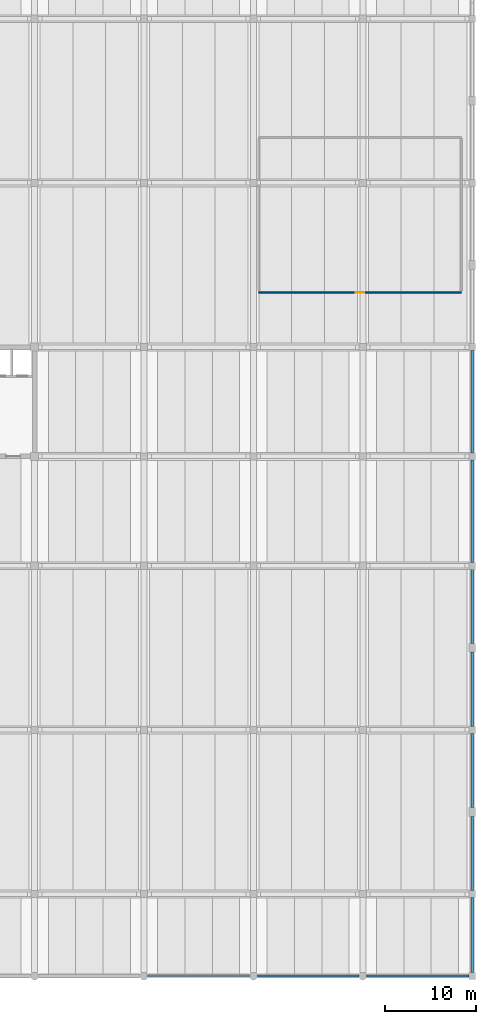
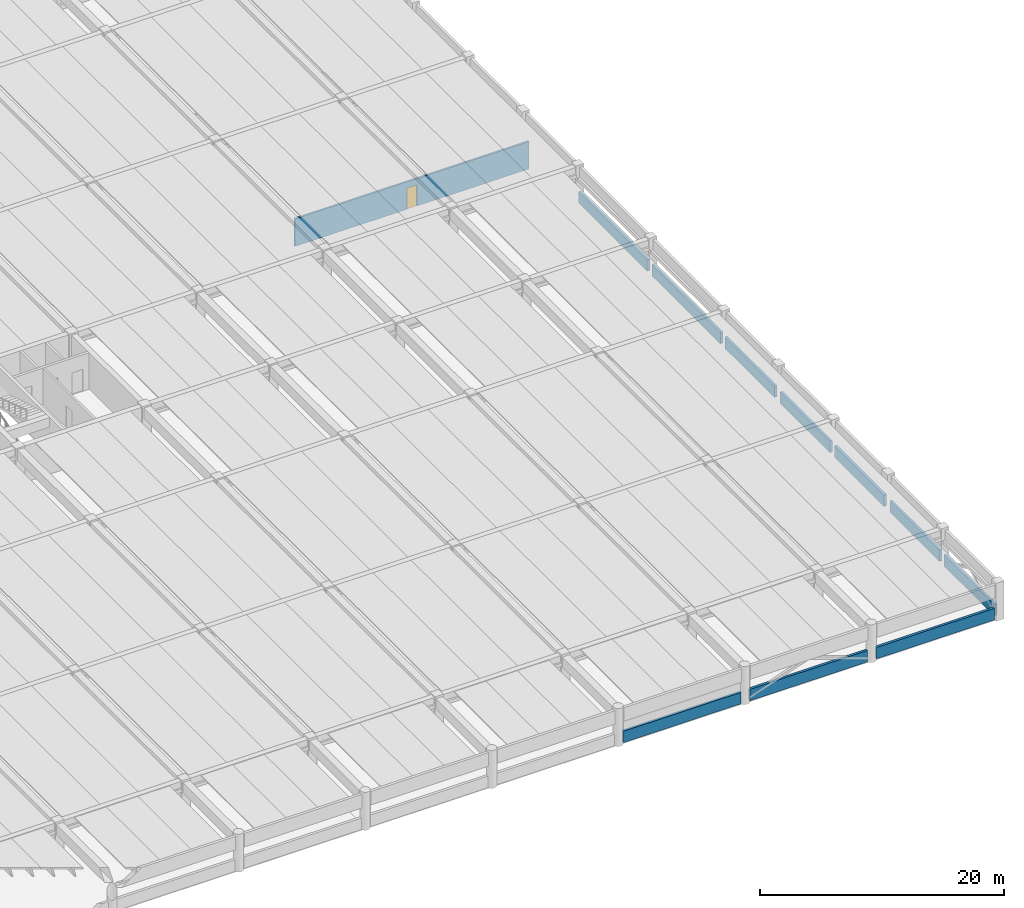
# One storey, part 13 of 21: 11 walls, 1 door, 1 opening.
"""IFC4 building model written with IfcOpenShell, lengths in metres."""

import ifcopenshell
import ifcopenshell.guid

model = None  # the IFC model being written
_history = None  # IfcOwnerHistory: only IFC2X3 demands one
_inside = {}  # id of a spatial element -> (the spatial element, [elements in it])
_under = {}  # id of a project, library or spatial element -> (it, [spatial elements below it])
_declared = {}  # id of a project -> (the project, [libraries it declares])
_typed = {}  # id of a type object -> (the type object, [elements of that type])
_made_of = {}  # id of a material, layer set ... -> (it, [elements and type objects made of it])


def new_model(schema):
    """Start an empty IFC model of exactly this schema.

    Asked for "IFC4X3", IfcOpenShell would pick the latest addendum, in which some entities
    have other attributes; the version numbers below select the first issue.
    IFC2X3 requires an IfcOwnerHistory on every rooted entity: one is made here for all.
    """
    global model, _history
    if schema == "IFC4X3":
        model = ifcopenshell.file(schema_version=(4, 3, 0, 0))
    else:
        model = ifcopenshell.file(schema=schema)
    _inside.clear()
    _under.clear()
    _declared.clear()
    _typed.clear()
    _made_of.clear()
    _history = None
    if model.schema == "IFC2X3":
        org = make("IfcOrganization", Name="unknown")
        user = make(
            "IfcPersonAndOrganization",
            ThePerson=make("IfcPerson", FamilyName="unknown"),
            TheOrganization=org,
        )
        app = make(
            "IfcApplication",
            ApplicationDeveloper=org,
            Version="unknown",
            ApplicationFullName="unknown",
            ApplicationIdentifier="unknown",
        )
        _history = make(
            "IfcOwnerHistory",
            OwningUser=user,
            OwningApplication=app,
            ChangeAction="ADDED",
            CreationDate=0,
        )
    return model


def make(cls, **values):
    """One entity of the class cls with the attributes given. An attribute that is None is left unset."""
    return model.create_entity(
        cls, **{name: value for name, value in values.items() if value is not None}
    )


def rooted(cls, **values):
    """An entity with a GlobalId (a new one), such as an element, a storey or a relation."""
    return make(cls, GlobalId=ifcopenshell.guid.new(), OwnerHistory=_history, **values)


def si_unit(unit_type, name, prefix=None):
    """IfcSIUnit, for example si_unit("LENGTHUNIT", "METRE", prefix="MILLI")."""
    return make("IfcSIUnit", UnitType=unit_type, Prefix=prefix, Name=name)


def assignment(units):
    """IfcUnitAssignment: the units of a project."""
    return None if units is None else make("IfcUnitAssignment", Units=units)


def point(xyz):
    """IfcCartesianPoint."""
    return None if xyz is None else make("IfcCartesianPoint", Coordinates=xyz)


def direction(xyz):
    """IfcDirection."""
    return None if xyz is None else make("IfcDirection", DirectionRatios=xyz)


def frame(location, z_axis=None, x_axis=None):
    """IfcAxis2Placement3D, a coordinate frame: its origin and axes. An axis left out is left unset."""
    return make(
        "IfcAxis2Placement3D",
        Location=point(location),
        Axis=direction(z_axis),
        RefDirection=direction(x_axis),
    )


def frame_2d(location, x_axis=None):
    """IfcAxis2Placement2D, a coordinate frame in the plane: its origin and x axis."""
    return make(
        "IfcAxis2Placement2D", Location=point(location), RefDirection=direction(x_axis)
    )


def origin():
    """The frame at (0, 0, 0) with its axes left unset."""
    return frame((0.0, 0.0, 0.0))


def place(relative_to, where):
    """IfcLocalPlacement: puts the frame where relative to a parent placement (None: the world)."""
    return make(
        "IfcLocalPlacement", PlacementRelTo=relative_to, RelativePlacement=where
    )


def context(
    kind, dimensions, precision=None, world=None, true_north=None, identifier=None
):
    """IfcGeometricRepresentationContext, for example the 3D "Model" context."""
    return make(
        "IfcGeometricRepresentationContext",
        ContextIdentifier=identifier,
        ContextType=kind,
        CoordinateSpaceDimension=dimensions,
        Precision=precision,
        WorldCoordinateSystem=world,
        TrueNorth=true_north,
    )


def subcontext(parent, identifier, kind, view, scale=None):
    """IfcGeometricRepresentationSubContext, for example "Body" below "Model"."""
    return make(
        "IfcGeometricRepresentationSubContext",
        ContextIdentifier=identifier,
        ContextType=kind,
        ParentContext=parent,
        TargetScale=scale,
        TargetView=view,
    )


def project(units=None, contexts=None):
    """IfcProject with its units and contexts."""
    return rooted(
        "IfcProject",
        Name="project",
        RepresentationContexts=contexts,
        UnitsInContext=assignment(units),
    )


def spatial(cls, under=None, at=None, **own):
    """A site, building, storey or space (cls), placed at a placement, below another one or the project."""
    s = rooted(cls, ObjectPlacement=at, **own)
    if under is not None:
        _under.setdefault(under.id(), (under, []))[1].append(s)
    return s


def profile(cls, at=None, kind="AREA", **sizes):
    """A parametric profile (cls). Its sizes go by their IFC names, for example OverallWidth=200.0."""
    return make(cls, ProfileType=kind, Position=at, **sizes)


def rectangle(**sizes):
    """IfcRectangleProfileDef."""
    return profile("IfcRectangleProfileDef", **sizes)


def extrude(swept, where, along, depth):
    """IfcExtrudedAreaSolid: the profile swept, set in the frame where, extruded along a direction by depth."""
    return make(
        "IfcExtrudedAreaSolid",
        SweptArea=swept,
        Position=where,
        ExtrudedDirection=direction(along),
        Depth=depth,
    )


def shape(context_of_items, identifier, shape_type, items):
    """IfcShapeRepresentation: the items that make up one representation, for example the "Body"."""
    return make(
        "IfcShapeRepresentation",
        ContextOfItems=context_of_items,
        RepresentationIdentifier=identifier,
        RepresentationType=shape_type,
        Items=items,
    )


def material(Name=None, Category=None):
    """IfcMaterial."""
    return make("IfcMaterial", Name=Name, Category=Category)


def layer(
    of_material, thickness, ventilated=None, Name=None, Category=None, Priority=None
):
    """IfcMaterialLayer: one layer of a wall or slab, of a material (None: an air gap)."""
    return make(
        "IfcMaterialLayer",
        Material=of_material,
        LayerThickness=thickness,
        IsVentilated=ventilated,
        Name=Name,
        Category=Category,
        Priority=Priority,
    )


def layer_set(layers, Name=None):
    """IfcMaterialLayerSet."""
    return make("IfcMaterialLayerSet", MaterialLayers=layers, LayerSetName=Name)


def made_of(thing, what):
    """Note that an element or type object is made of a material, layer set ...; save() writes the relation."""
    if what is not None:
        _made_of.setdefault(what.id(), (what, []))[1].append(thing)
    return thing


def type_object(cls, material=None, **own):
    """A type object (cls), such as IfcWallType, which elements share."""
    return made_of(rooted(cls, **own), material)


def element(
    cls,
    number,
    at=None,
    inside=None,
    cuts=None,
    type_object=None,
    material=None,
    context=None,
    identifier="Body",
    shape_type=None,
    held_by="IfcProductDefinitionShape",
    body=None,
    shapes=None,
    **own,
):
    """One element of the class cls, such as IfcWall. Its Tag is "e" and its number.

    at: its placement. inside: the storey or other place that contains it. cuts: it is an
    opening in that element (IfcRelVoidsElement). A single representation is given by context,
    identifier, shape_type and body (its items); several are given by shapes. held_by: the class
    of the entity that holds the representations. save() writes the other relations.
    """
    e = rooted(cls, Tag="e%d" % number, ObjectPlacement=at, **own)
    if body is not None:
        shapes = [shape(context, identifier, shape_type, body)]
    if shapes is not None:
        e.Representation = make(held_by, Representations=shapes)
    if inside is not None:
        _inside.setdefault(inside.id(), (inside, []))[1].append(e)
    if cuts is not None:
        rooted(
            "IfcRelVoidsElement", RelatingBuildingElement=cuts, RelatedOpeningElement=e
        )
    if type_object is not None:
        _typed.setdefault(type_object.id(), (type_object, []))[1].append(e)
    return made_of(e, material)


def fill(opening, filler):
    """IfcRelFillsElement: the door or window that sits in an opening."""
    return rooted(
        "IfcRelFillsElement",
        RelatingOpeningElement=opening,
        RelatedBuildingElement=filler,
    )


def aggregate(whole, parts):
    """IfcRelAggregates: a whole, such as a stair, and the parts it consists of."""
    return rooted("IfcRelAggregates", RelatingObject=whole, RelatedObjects=parts)


def save(model, path):
    """Write the relations noted so far, then the file.

    IfcRelAggregates (storeys below a building ...), IfcRelContainedInSpatialStructure (elements
    in a storey), IfcRelDefinesByType, IfcRelAssociatesMaterial and IfcRelDeclares: one each for
    every whole, place, type object, material and project.
    """
    for whole, parts in _under.values():
        aggregate(whole, parts)
    for where, things in _inside.values():
        rooted(
            "IfcRelContainedInSpatialStructure",
            RelatedElements=things,
            RelatingStructure=where,
        )
    for kind, things in _typed.values():
        rooted("IfcRelDefinesByType", RelatedObjects=things, RelatingType=kind)
    for what, things in _made_of.values():
        rooted("IfcRelAssociatesMaterial", RelatedObjects=things, RelatingMaterial=what)
    for by, libraries in _declared.values():
        rooted("IfcRelDeclares", RelatingContext=by, RelatedDefinitions=libraries)
    model.write(path)


model = new_model("IFC4")

# Units and contexts
model_context = context("Model", 3, precision=1e-05, world=origin(), true_north=direction((0.0, 1.0)))
body_context = subcontext(model_context, "Body", "Model", "MODEL_VIEW")
ifc_project = project(units=[si_unit("LENGTHUNIT", "METRE"), si_unit("AREAUNIT", "SQUARE_METRE"), si_unit("VOLUMEUNIT", "CUBIC_METRE"), si_unit("PLANEANGLEUNIT", "RADIAN"), si_unit("MASSUNIT", "GRAM", prefix="KILO")], contexts=[model_context])

# Site, building, storey
site_placement = place(None, origin())
site = spatial("IfcSite", under=ifc_project, at=site_placement, CompositionType="ELEMENT")
building_placement = place(site_placement, origin())
building = spatial("IfcBuilding", under=site, at=building_placement, Name="Girod Span Mobility Hub", CompositionType="ELEMENT")
storey_placement = place(building_placement, frame((0.0, 0.0, 17.199951171875)))
storey = spatial("IfcBuildingStorey", under=building, at=storey_placement, Name="L04", CompositionType="ELEMENT", Elevation=17.199951171875)

# Wall, opening, door
ifc_material_1 = material(Name="Reinforced Concrete Masonry Block", Category="masonry")
ifc_layer_1 = layer(ifc_material_1, 0.179931640625)
ifc_layer_set_1 = layer_set([ifc_layer_1], Name="Reinforced Concrete Masonry Block")
wall_type_1 = type_object("IfcWallType", Name="W-FP-180", PredefinedType="SOLIDWALL", material=ifc_layer_set_1)
wall_1_placement = place(storey_placement, frame((144.60009765625, 75.0, 0.0), z_axis=(0.0, 0.0, 1.0), x_axis=(1.0, 0.0, 0.0)))
wall_1 = element("IfcWall", 1, at=wall_1_placement, inside=storey, type_object=wall_type_1, Name="Mechanical Plant Standby Generator Partition S", PredefinedType="SOLIDWALL", context=body_context, shape_type="SweptSolid", body=[
    extrude(rectangle(XDim=22.199951171875, YDim=0.179931640625, at=frame_2d((11.10009765625, 0.0))), origin(), (0.0, 0.0, 1.0), 2.75),
])
opening_placement = place(wall_1_placement, frame((10.6201171875, 0.0, 0.0)))
opening = element("IfcOpeningElement", 2, at=opening_placement, cuts=wall_1, Name="Opening D-L04-GEN-E", PredefinedType="OPENING", context=body_context, shape_type="SweptSolid", body=[
    extrude(rectangle(XDim=0.9599609375, YDim=2.1201171875, at=frame_2d((0.47998046875, 1.06005859375))), frame((0.0, 0.10498046875, 0.0), z_axis=(0.0, -1.0, 0.0), x_axis=(1.0, 0.0, 0.0)), (0.0, 0.0, 1.0), 0.2099609375),
])
ifc_material_2 = material(Name="Fire-Rated Insulated Hollow Metal Steel", Category="steel")
door_type = type_object("IfcDoorType", Name="DT-FD-06", OperationType="NOTDEFINED", PredefinedType="DOOR", material=ifc_material_2)
door_placement = place(opening_placement, origin())
door = element("IfcDoor", 3, at=door_placement, inside=storey, type_object=door_type, Name="Mechanical Plant Standby Generator Door", OperationType="SINGLE_SWING_LEFT", OverallHeight=2.1201171875, OverallWidth=0.9599609375, PredefinedType="DOOR", context=body_context, shape_type="SweptSolid", body=[
    extrude(rectangle(XDim=0.9599609375, YDim=2.1201171875, at=frame_2d((0.47998046875, 1.06005859375))), frame((0.0, 0.02490234375, 0.0), z_axis=(0.0, -1.0, 0.0), x_axis=(1.0, 0.0, 0.0)), (0.0, 0.0, 1.0), 0.050048828125),
])
fill(opening, door)

# Walls
ifc_material_3 = material(Name="Precast Architectural Concrete C40/50", Category="concrete")
ifc_layer_2 = layer(ifc_material_3, 0.239990234375)
ifc_layer_set_2 = layer_set([ifc_layer_2], Name="Precast Architectural Concrete C40/50")
wall_type_2 = type_object("IfcWallType", Name="W-PAR-240", PredefinedType="PARAPET", material=ifc_layer_set_2)
for number, where, z_axis, x_axis, name in (
    (4, (132.423095703125, 0.0, 0.0), (0.0, 0.0, 1.0), (1.0, 0.0, 0.0), "Precast Parking Barrier Parapet S-12 L04"),
    (5, (144.423095703125, 0.0, 0.0), (0.0, 0.0, 1.0), (1.0, 0.0, 0.0), "Precast Parking Barrier Parapet S-13 L04"),
):
    element("IfcWall", number, at=place(storey_placement, frame(where, z_axis=z_axis, x_axis=x_axis)), inside=storey, type_object=wall_type_2, Name=name, PredefinedType="PARAPET", context=body_context, shape_type="SweptSolid", body=[
        extrude(rectangle(XDim=11.15380859375, YDim=0.239990234375, at=frame_2d((5.576904296875, 0.0))), origin(), (0.0, 0.0, 1.0), 1.150146484375),
    ])
wall_2_placement = place(storey_placement, frame((156.423095703125, 0.0, 0.0), z_axis=(0.0, 0.0, 1.0), x_axis=(1.0, 0.0, 0.0)))
element("IfcWall", 6, at=wall_2_placement, inside=storey, type_object=wall_type_2, Name="Precast Parking Barrier Parapet S-14 L04", PredefinedType="PARAPET", context=body_context, shape_type="SweptSolid", body=[
    extrude(rectangle(XDim=11.203857421875, YDim=0.239990234375, at=frame_2d((5.60205078125, 0.0))), origin(), (0.0, 0.0, 1.0), 1.150146484375),
])
wall_3_placement = place(storey_placement, frame((168.0, 0.373046875, 0.0), z_axis=(0.0, 0.0, 1.0), x_axis=(0.0, 1.0, 0.0)))
element("IfcWall", 7, at=wall_3_placement, inside=storey, type_object=wall_type_2, Name="Precast Side Barrier Parapet E-A-1 L04", PredefinedType="PARAPET", context=body_context, shape_type="SweptSolid", body=[
    extrude(rectangle(XDim=8.25390625, YDim=0.239990234375, at=frame_2d((4.126953125, 0.0))), origin(), (0.0, 0.0, 1.0), 1.150146484375),
])
for number, where, z_axis, x_axis, name in (
    (8, (168.0, 9.373046875, 0.0), (0.0, 0.0, 1.0), (0.0, 1.0, 0.0), "Precast Side Barrier Parapet E-B-1 L04"),
    (9, (168.0, 18.472900390625, 0.0), (0.0, 0.0, 1.0), (0.0, 1.0, 0.0), "Precast Side Barrier Parapet E-B-2 L04"),
    (10, (168.0, 27.373046875, 0.0), (0.0, 0.0, 1.0), (0.0, 1.0, 0.0), "Precast Side Barrier Parapet E-C-1 L04"),
    (11, (168.0, 36.472900390625, 0.0), (0.0, 0.0, 1.0), (0.0, 1.0, 0.0), "Precast Side Barrier Parapet E-C-2 L04"),
):
    element("IfcWall", number, at=place(storey_placement, frame(where, z_axis=z_axis, x_axis=x_axis)), inside=storey, type_object=wall_type_2, Name=name, PredefinedType="PARAPET", context=body_context, shape_type="SweptSolid", body=[
        extrude(rectangle(XDim=8.154052734375, YDim=0.239990234375, at=frame_2d((4.0771484375, 0.0))), origin(), (0.0, 0.0, 1.0), 1.150146484375),
    ])
for number, where, z_axis, x_axis, name in (
    (12, (168.0, 45.373046875, 0.0), (0.0, 0.0, 1.0), (0.0, 1.0, 0.0), "Precast Side Barrier Parapet E-D-1 L04"),
    (13, (168.0, 57.373046875, 0.0), (0.0, 0.0, 1.0), (0.0, 1.0, 0.0), "Precast Side Barrier Parapet E-E-1 L04"),
):
    element("IfcWall", number, at=place(storey_placement, frame(where, z_axis=z_axis, x_axis=x_axis)), inside=storey, type_object=wall_type_2, Name=name, PredefinedType="PARAPET", context=body_context, shape_type="SweptSolid", body=[
        extrude(rectangle(XDim=11.25390625, YDim=0.239990234375, at=frame_2d((5.626953125, 0.0))), origin(), (0.0, 0.0, 1.0), 1.150146484375),
    ])

save(model, "model.ifc")
